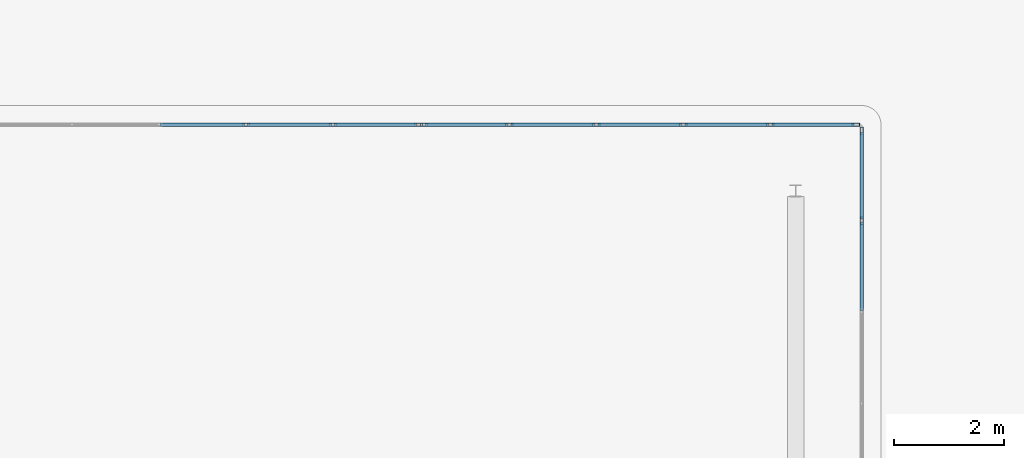
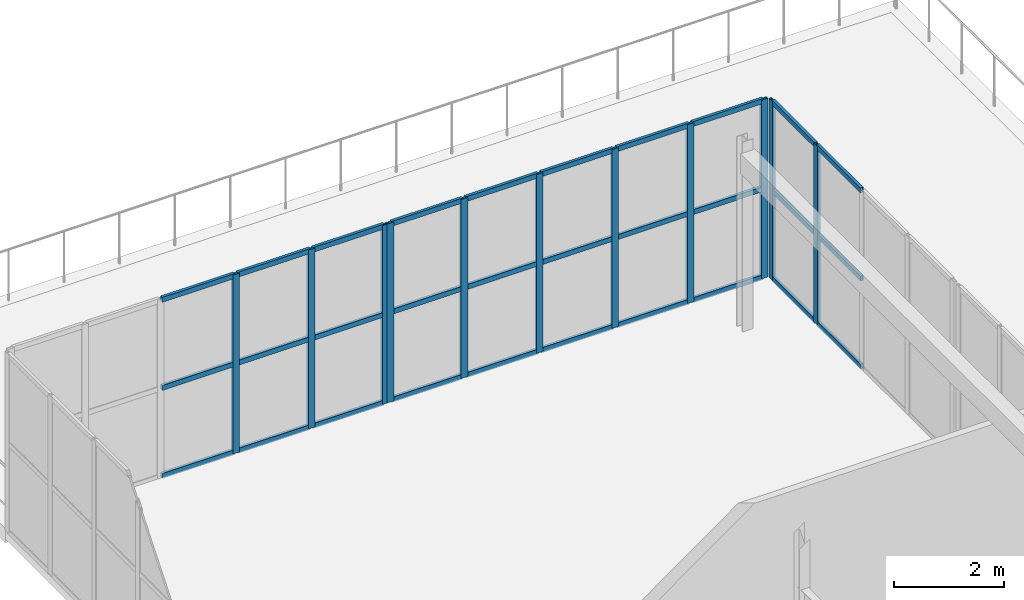
# One storey, part 49 of 90: 41 members, 3 elements without a shape of their own.
"""IFC4 building model written with IfcOpenShell, lengths in metres."""

import ifcopenshell
import ifcopenshell.guid

model = None  # the IFC model being written
_history = None  # IfcOwnerHistory: only IFC2X3 demands one
_inside = {}  # id of a spatial element -> (the spatial element, [elements in it])
_under = {}  # id of a project, library or spatial element -> (it, [spatial elements below it])
_declared = {}  # id of a project -> (the project, [libraries it declares])
_typed = {}  # id of a type object -> (the type object, [elements of that type])
_made_of = {}  # id of a material, layer set ... -> (it, [elements and type objects made of it])


def new_model(schema):
    """Start an empty IFC model of exactly this schema.

    Asked for "IFC4X3", IfcOpenShell would pick the latest addendum, in which some entities
    have other attributes; the version numbers below select the first issue.
    IFC2X3 requires an IfcOwnerHistory on every rooted entity: one is made here for all.
    """
    global model, _history
    if schema == "IFC4X3":
        model = ifcopenshell.file(schema_version=(4, 3, 0, 0))
    else:
        model = ifcopenshell.file(schema=schema)
    _inside.clear()
    _under.clear()
    _declared.clear()
    _typed.clear()
    _made_of.clear()
    _history = None
    if model.schema == "IFC2X3":
        org = make("IfcOrganization", Name="unknown")
        user = make(
            "IfcPersonAndOrganization",
            ThePerson=make("IfcPerson", FamilyName="unknown"),
            TheOrganization=org,
        )
        app = make(
            "IfcApplication",
            ApplicationDeveloper=org,
            Version="unknown",
            ApplicationFullName="unknown",
            ApplicationIdentifier="unknown",
        )
        _history = make(
            "IfcOwnerHistory",
            OwningUser=user,
            OwningApplication=app,
            ChangeAction="ADDED",
            CreationDate=0,
        )
    return model


def make(cls, **values):
    """One entity of the class cls with the attributes given. An attribute that is None is left unset."""
    return model.create_entity(
        cls, **{name: value for name, value in values.items() if value is not None}
    )


def rooted(cls, **values):
    """An entity with a GlobalId (a new one), such as an element, a storey or a relation."""
    return make(cls, GlobalId=ifcopenshell.guid.new(), OwnerHistory=_history, **values)


def si_unit(unit_type, name, prefix=None):
    """IfcSIUnit, for example si_unit("LENGTHUNIT", "METRE", prefix="MILLI")."""
    return make("IfcSIUnit", UnitType=unit_type, Prefix=prefix, Name=name)


def assignment(units):
    """IfcUnitAssignment: the units of a project."""
    return None if units is None else make("IfcUnitAssignment", Units=units)


def point(xyz):
    """IfcCartesianPoint."""
    return None if xyz is None else make("IfcCartesianPoint", Coordinates=xyz)


def direction(xyz):
    """IfcDirection."""
    return None if xyz is None else make("IfcDirection", DirectionRatios=xyz)


def frame(location, z_axis=None, x_axis=None):
    """IfcAxis2Placement3D, a coordinate frame: its origin and axes. An axis left out is left unset."""
    return make(
        "IfcAxis2Placement3D",
        Location=point(location),
        Axis=direction(z_axis),
        RefDirection=direction(x_axis),
    )


def frame_2d(location, x_axis=None):
    """IfcAxis2Placement2D, a coordinate frame in the plane: its origin and x axis."""
    return make(
        "IfcAxis2Placement2D", Location=point(location), RefDirection=direction(x_axis)
    )


def origin():
    """The frame at (0, 0, 0) with its axes left unset."""
    return frame((0.0, 0.0, 0.0))


def origin_2d():
    """The frame at (0, 0) in the plane with its x axis left unset."""
    return frame_2d((0.0, 0.0))


def place(relative_to, where):
    """IfcLocalPlacement: puts the frame where relative to a parent placement (None: the world)."""
    return make(
        "IfcLocalPlacement", PlacementRelTo=relative_to, RelativePlacement=where
    )


def context(
    kind, dimensions, precision=None, world=None, true_north=None, identifier=None
):
    """IfcGeometricRepresentationContext, for example the 3D "Model" context."""
    return make(
        "IfcGeometricRepresentationContext",
        ContextIdentifier=identifier,
        ContextType=kind,
        CoordinateSpaceDimension=dimensions,
        Precision=precision,
        WorldCoordinateSystem=world,
        TrueNorth=true_north,
    )


def subcontext(parent, identifier, kind, view, scale=None):
    """IfcGeometricRepresentationSubContext, for example "Body" below "Model"."""
    return make(
        "IfcGeometricRepresentationSubContext",
        ContextIdentifier=identifier,
        ContextType=kind,
        ParentContext=parent,
        TargetScale=scale,
        TargetView=view,
    )


def project(units=None, contexts=None):
    """IfcProject with its units and contexts."""
    return rooted(
        "IfcProject",
        Name="project",
        RepresentationContexts=contexts,
        UnitsInContext=assignment(units),
    )


def spatial(cls, under=None, at=None, **own):
    """A site, building, storey or space (cls), placed at a placement, below another one or the project."""
    s = rooted(cls, ObjectPlacement=at, **own)
    if under is not None:
        _under.setdefault(under.id(), (under, []))[1].append(s)
    return s


def profile(cls, at=None, kind="AREA", **sizes):
    """A parametric profile (cls). Its sizes go by their IFC names, for example OverallWidth=200.0."""
    return make(cls, ProfileType=kind, Position=at, **sizes)


def hollow_rectangle(**sizes):
    """IfcRectangleHollowProfileDef."""
    return profile("IfcRectangleHollowProfileDef", **sizes)


def extrude(swept, where, along, depth):
    """IfcExtrudedAreaSolid: the profile swept, set in the frame where, extruded along a direction by depth."""
    return make(
        "IfcExtrudedAreaSolid",
        SweptArea=swept,
        Position=where,
        ExtrudedDirection=direction(along),
        Depth=depth,
    )


def shape(context_of_items, identifier, shape_type, items):
    """IfcShapeRepresentation: the items that make up one representation, for example the "Body"."""
    return make(
        "IfcShapeRepresentation",
        ContextOfItems=context_of_items,
        RepresentationIdentifier=identifier,
        RepresentationType=shape_type,
        Items=items,
    )


def material(Name=None, Category=None):
    """IfcMaterial."""
    return make("IfcMaterial", Name=Name, Category=Category)


def layer(
    of_material, thickness, ventilated=None, Name=None, Category=None, Priority=None
):
    """IfcMaterialLayer: one layer of a wall or slab, of a material (None: an air gap)."""
    return make(
        "IfcMaterialLayer",
        Material=of_material,
        LayerThickness=thickness,
        IsVentilated=ventilated,
        Name=Name,
        Category=Category,
        Priority=Priority,
    )


def layer_set(layers, Name=None):
    """IfcMaterialLayerSet."""
    return make("IfcMaterialLayerSet", MaterialLayers=layers, LayerSetName=Name)


def material_profile(
    of_material, cross_section, Name=None, Category=None, Priority=None
):
    """IfcMaterialProfile: a cross section and its material."""
    return make(
        "IfcMaterialProfile",
        Name=Name,
        Material=of_material,
        Profile=cross_section,
        Priority=Priority,
        Category=Category,
    )


def profile_set(profiles, Name=None, composite=None):
    """IfcMaterialProfileSet."""
    return make(
        "IfcMaterialProfileSet",
        Name=Name,
        MaterialProfiles=profiles,
        CompositeProfile=composite,
    )


def made_of(thing, what):
    """Note that an element or type object is made of a material, layer set ...; save() writes the relation."""
    if what is not None:
        _made_of.setdefault(what.id(), (what, []))[1].append(thing)
    return thing


def type_object(cls, material=None, **own):
    """A type object (cls), such as IfcWallType, which elements share."""
    return made_of(rooted(cls, **own), material)


def element(
    cls,
    number,
    at=None,
    inside=None,
    cuts=None,
    type_object=None,
    material=None,
    context=None,
    identifier="Body",
    shape_type=None,
    held_by="IfcProductDefinitionShape",
    body=None,
    shapes=None,
    **own,
):
    """One element of the class cls, such as IfcWall. Its Tag is "e" and its number.

    at: its placement. inside: the storey or other place that contains it. cuts: it is an
    opening in that element (IfcRelVoidsElement). A single representation is given by context,
    identifier, shape_type and body (its items); several are given by shapes. held_by: the class
    of the entity that holds the representations. save() writes the other relations.
    """
    e = rooted(cls, Tag="e%d" % number, ObjectPlacement=at, **own)
    if body is not None:
        shapes = [shape(context, identifier, shape_type, body)]
    if shapes is not None:
        e.Representation = make(held_by, Representations=shapes)
    if inside is not None:
        _inside.setdefault(inside.id(), (inside, []))[1].append(e)
    if cuts is not None:
        rooted(
            "IfcRelVoidsElement", RelatingBuildingElement=cuts, RelatedOpeningElement=e
        )
    if type_object is not None:
        _typed.setdefault(type_object.id(), (type_object, []))[1].append(e)
    return made_of(e, material)


def aggregate(whole, parts):
    """IfcRelAggregates: a whole, such as a stair, and the parts it consists of."""
    return rooted("IfcRelAggregates", RelatingObject=whole, RelatedObjects=parts)


def save(model, path):
    """Write the relations noted so far, then the file.

    IfcRelAggregates (storeys below a building ...), IfcRelContainedInSpatialStructure (elements
    in a storey), IfcRelDefinesByType, IfcRelAssociatesMaterial and IfcRelDeclares: one each for
    every whole, place, type object, material and project.
    """
    for whole, parts in _under.values():
        aggregate(whole, parts)
    for where, things in _inside.values():
        rooted(
            "IfcRelContainedInSpatialStructure",
            RelatedElements=things,
            RelatingStructure=where,
        )
    for kind, things in _typed.values():
        rooted("IfcRelDefinesByType", RelatedObjects=things, RelatingType=kind)
    for what, things in _made_of.values():
        rooted("IfcRelAssociatesMaterial", RelatedObjects=things, RelatingMaterial=what)
    for by, libraries in _declared.values():
        rooted("IfcRelDeclares", RelatingContext=by, RelatedDefinitions=libraries)
    model.write(path)


model = new_model("IFC4")

# Units and contexts
model_context = context("Model", 3, precision=1e-05, world=origin(), true_north=direction((0.0, 1.0)))
body_context = subcontext(model_context, "Body", "Model", "MODEL_VIEW")
ifc_project = project(units=[si_unit("LENGTHUNIT", "METRE"), si_unit("AREAUNIT", "SQUARE_METRE"), si_unit("VOLUMEUNIT", "CUBIC_METRE"), si_unit("PLANEANGLEUNIT", "RADIAN"), si_unit("MASSUNIT", "GRAM", prefix="KILO")], contexts=[model_context])

# Site, building, storey
site_placement = place(None, origin())
site = spatial("IfcSite", under=ifc_project, at=site_placement, CompositionType="ELEMENT")
building_placement = place(site_placement, origin())
building = spatial("IfcBuilding", under=site, at=building_placement, Name="Trelvath General Hospital", CompositionType="ELEMENT")
storey_placement = place(building_placement, frame((0.0, 0.0, 20.39990234375)))
storey = spatial("IfcBuildingStorey", under=building, at=storey_placement, Name="L05", CompositionType="ELEMENT", Elevation=20.39990234375)

# Curtain wall, members
ifc_material_1 = material(Name="Anodised aluminium and low-E glass", Category="aluminium")
ifc_layer_1 = layer(ifc_material_1, 0.14990234375)
ifc_layer_set_1 = layer_set([ifc_layer_1], Name="Anodised aluminium and low-E glass")
curtain_wall_type_1 = type_object("IfcCurtainWallType", Name="CW CrystalCube 790 396 15", PredefinedType="USERDEFINED", material=ifc_layer_set_1)
curtain_wall_1_placement = place(storey_placement, origin())
curtain_wall_1 = element("IfcCurtainWall", 1, at=curtain_wall_1_placement, inside=storey, type_object=curtain_wall_type_1, Name="Crystal Cube Curtain Wall CUBE-E-T2 N1 L05", ObjectType="Unitised Glazed Curtain Wall", PredefinedType="USERDEFINED")
ifc_material_2 = material(Name="Anodised aluminium", Category="aluminium")
ifc_material_profile_1 = material_profile(ifc_material_2, hollow_rectangle(XDim=0.06005859375, YDim=0.139892578125, WallThickness=0.00390625, at=origin_2d()), Name="RHS60x140x4")
ifc_profile_set_1 = profile_set([ifc_material_profile_1], Name="Anodised aluminium")
member_type_1 = type_object("IfcMemberType", Name="CurtainMullion 60x140", PredefinedType="MULLION", material=ifc_profile_set_1)
member_1_placement = place(storey_placement, frame((97.219970703125, 74.0, 0.0), z_axis=(0.0, 0.0, 1.0), x_axis=(0.0, 1.0, 0.0)))
member_1 = element("IfcMember", 2, at=member_1_placement, type_object=member_type_1, Name="CW-317 mullion 4", PredefinedType="MULLION", context=body_context, shape_type="SweptSolid", body=[
    extrude(hollow_rectangle(XDim=0.06005859375, YDim=0.139892578125, WallThickness=0.00390625, at=origin_2d()), origin(), (0.0, 0.0, 1.0), 3.960205078125),
])
member_2_placement = place(storey_placement, frame((98.800048828125, 74.0, 0.0), z_axis=(0.0, 0.0, 1.0), x_axis=(0.0, 1.0, 0.0)))
member_2 = element("IfcMember", 3, at=member_2_placement, type_object=member_type_1, Name="CW-317 mullion 5", PredefinedType="MULLION", context=body_context, shape_type="SweptSolid", body=[
    extrude(hollow_rectangle(XDim=0.06005859375, YDim=0.139892578125, WallThickness=0.00390625, at=origin_2d()), origin(), (0.0, 0.0, 1.0), 3.960205078125),
])
member_3_placement = place(storey_placement, frame((100.35009765625, 74.0, 0.0), z_axis=(0.0, 0.0, 1.0), x_axis=(0.0, 1.0, 0.0)))
member_3 = element("IfcMember", 4, at=member_3_placement, type_object=member_type_1, Name="CW-317 mullion 6", PredefinedType="MULLION", context=body_context, shape_type="SweptSolid", body=[
    extrude(hollow_rectangle(XDim=0.06005859375, YDim=0.139892578125, WallThickness=0.00390625, at=origin_2d()), origin(), (0.0, 0.0, 1.0), 3.960205078125),
])

curtain_wall_2_placement = place(storey_placement, origin())
curtain_wall_2 = element("IfcCurtainWall", 5, at=curtain_wall_2_placement, inside=storey, type_object=curtain_wall_type_1, Name="Crystal Cube Curtain Wall CUBE-E-T2 N2 L05", ObjectType="Unitised Glazed Curtain Wall", PredefinedType="USERDEFINED")
member_4_placement = place(storey_placement, frame((100.449951171875, 74.0, 0.0), z_axis=(0.0, 0.0, 1.0), x_axis=(0.0, 1.0, 0.0)))
member_4 = element("IfcMember", 6, at=member_4_placement, type_object=member_type_1, Name="CW-318 mullion 1", PredefinedType="MULLION", context=body_context, shape_type="SweptSolid", body=[
    extrude(hollow_rectangle(XDim=0.06005859375, YDim=0.139892578125, WallThickness=0.00390625, at=origin_2d()), origin(), (0.0, 0.0, 1.0), 3.960205078125),
])
member_5_placement = place(storey_placement, frame((102.0, 74.0, 0.0), z_axis=(0.0, 0.0, 1.0), x_axis=(0.0, 1.0, 0.0)))
member_5 = element("IfcMember", 7, at=member_5_placement, type_object=member_type_1, Name="CW-318 mullion 2", PredefinedType="MULLION", context=body_context, shape_type="SweptSolid", body=[
    extrude(hollow_rectangle(XDim=0.06005859375, YDim=0.139892578125, WallThickness=0.00390625, at=origin_2d()), origin(), (0.0, 0.0, 1.0), 3.960205078125),
])
member_6_placement = place(storey_placement, frame((103.580078125, 74.0, 0.0), z_axis=(0.0, 0.0, 1.0), x_axis=(0.0, 1.0, 0.0)))
member_6 = element("IfcMember", 8, at=member_6_placement, type_object=member_type_1, Name="CW-318 mullion 3", PredefinedType="MULLION", context=body_context, shape_type="SweptSolid", body=[
    extrude(hollow_rectangle(XDim=0.06005859375, YDim=0.139892578125, WallThickness=0.00390625, at=origin_2d()), origin(), (0.0, 0.0, 1.0), 3.960205078125),
])
member_7_placement = place(storey_placement, frame((105.159912109375, 74.0, 0.0), z_axis=(0.0, 0.0, 1.0), x_axis=(0.0, 1.0, 0.0)))
member_7 = element("IfcMember", 9, at=member_7_placement, type_object=member_type_1, Name="CW-318 mullion 4", PredefinedType="MULLION", context=body_context, shape_type="SweptSolid", body=[
    extrude(hollow_rectangle(XDim=0.06005859375, YDim=0.139892578125, WallThickness=0.00390625, at=origin_2d()), origin(), (0.0, 0.0, 1.0), 3.960205078125),
])
member_8_placement = place(storey_placement, frame((106.739990234375, 74.0, 0.0), z_axis=(0.0, 0.0, 1.0), x_axis=(0.0, 1.0, 0.0)))
member_8 = element("IfcMember", 10, at=member_8_placement, type_object=member_type_1, Name="CW-318 mullion 5", PredefinedType="MULLION", context=body_context, shape_type="SweptSolid", body=[
    extrude(hollow_rectangle(XDim=0.06005859375, YDim=0.139892578125, WallThickness=0.00390625, at=origin_2d()), origin(), (0.0, 0.0, 1.0), 3.960205078125),
])
member_9_placement = place(storey_placement, frame((108.2900390625, 74.0, 0.0), z_axis=(0.0, 0.0, 1.0), x_axis=(0.0, 1.0, 0.0)))
member_9 = element("IfcMember", 11, at=member_9_placement, type_object=member_type_1, Name="CW-318 mullion 6", PredefinedType="MULLION", context=body_context, shape_type="SweptSolid", body=[
    extrude(hollow_rectangle(XDim=0.06005859375, YDim=0.139892578125, WallThickness=0.00390625, at=origin_2d()), origin(), (0.0, 0.0, 1.0), 3.960205078125),
])

ifc_material_3 = material(Name="Anodised aluminium and low-E glass", Category="aluminium")
ifc_layer_2 = layer(ifc_material_3, 0.14990234375)
ifc_layer_set_2 = layer_set([ifc_layer_2], Name="Anodised aluminium and low-E glass")
curtain_wall_type_2 = type_object("IfcCurtainWallType", Name="CW CrystalCube 664 396 15", PredefinedType="USERDEFINED", material=ifc_layer_set_2)
curtain_wall_3_placement = place(storey_placement, origin())
curtain_wall_3 = element("IfcCurtainWall", 12, at=curtain_wall_3_placement, inside=storey, type_object=curtain_wall_type_2, Name="Crystal Cube Curtain Wall CUBE-E-T2 E5 L05", ObjectType="Unitised Glazed Curtain Wall", PredefinedType="USERDEFINED")
member_10_placement = place(storey_placement, frame((108.39990234375, 73.889892578125, 0.0), z_axis=(0.0, 0.0, 1.0), x_axis=(1.0, 0.0, 0.0)))
member_10 = element("IfcMember", 13, at=member_10_placement, type_object=member_type_1, Name="CW-322 mullion 1", PredefinedType="MULLION", context=body_context, shape_type="SweptSolid", body=[
    extrude(hollow_rectangle(XDim=0.06005859375, YDim=0.139892578125, WallThickness=0.00390625, at=origin_2d()), origin(), (0.0, 0.0, 1.0), 3.960205078125),
])
member_11_placement = place(storey_placement, frame((108.39990234375, 72.260009765625, 0.0), z_axis=(0.0, 0.0, 1.0), x_axis=(1.0, 0.0, 0.0)))
member_11 = element("IfcMember", 14, at=member_11_placement, type_object=member_type_1, Name="CW-322 mullion 2", PredefinedType="MULLION", context=body_context, shape_type="SweptSolid", body=[
    extrude(hollow_rectangle(XDim=0.06005859375, YDim=0.139892578125, WallThickness=0.00390625, at=origin_2d()), origin(), (0.0, 0.0, 1.0), 3.960205078125),
])

# Member
ifc_material_4 = material(Name="Anodised aluminium", Category="aluminium")
ifc_material_profile_2 = material_profile(ifc_material_4, hollow_rectangle(XDim=0.06005859375, YDim=0.110107421875, WallThickness=0.00390625, at=origin_2d()), Name="RHS60x110x4")
ifc_profile_set_2 = profile_set([ifc_material_profile_2], Name="Anodised aluminium")
member_type_2 = type_object("IfcMemberType", Name="CurtainTransom 60x110", PredefinedType="USERDEFINED", material=ifc_profile_set_2)
member_12_placement = place(storey_placement, frame((95.669921875, 74.0, 0.030029296875), z_axis=(1.0, 0.0, 0.0), x_axis=(0.0, 1.0, 0.0)))
member_12 = element("IfcMember", 15, at=member_12_placement, type_object=member_type_2, Name="CW-317 transom 3.1", ObjectType="TRANSOM", PredefinedType="USERDEFINED", context=body_context, shape_type="SweptSolid", body=[
    extrude(hollow_rectangle(XDim=0.06005859375, YDim=0.110107421875, WallThickness=0.00390625, at=origin_2d()), origin(), (0.0, 0.0, 1.0), 1.52001953125),
])

member_13_placement = place(storey_placement, frame((95.669921875, 74.0, 1.97998046875), z_axis=(1.0, 0.0, 0.0), x_axis=(0.0, 1.0, 0.0)))
member_13 = element("IfcMember", 16, at=member_13_placement, type_object=member_type_2, Name="CW-317 transom 3.2", ObjectType="TRANSOM", PredefinedType="USERDEFINED", context=body_context, shape_type="SweptSolid", body=[
    extrude(hollow_rectangle(XDim=0.06005859375, YDim=0.110107421875, WallThickness=0.00390625, at=origin_2d()), origin(), (0.0, 0.0, 1.0), 1.52001953125),
])

member_14_placement = place(storey_placement, frame((95.669921875, 74.0, 3.93017578125), z_axis=(1.0, 0.0, 0.0), x_axis=(0.0, 1.0, 0.0)))
member_14 = element("IfcMember", 17, at=member_14_placement, type_object=member_type_2, Name="CW-317 transom 3.3", ObjectType="TRANSOM", PredefinedType="USERDEFINED", context=body_context, shape_type="SweptSolid", body=[
    extrude(hollow_rectangle(XDim=0.06005859375, YDim=0.110107421875, WallThickness=0.00390625, at=origin_2d()), origin(), (0.0, 0.0, 1.0), 1.52001953125),
])

member_15_placement = place(storey_placement, frame((97.25, 74.0, 0.030029296875), z_axis=(1.0, 0.0, 0.0), x_axis=(0.0, 1.0, 0.0)))
member_15 = element("IfcMember", 18, at=member_15_placement, type_object=member_type_2, Name="CW-317 transom 4.1", ObjectType="TRANSOM", PredefinedType="USERDEFINED", context=body_context, shape_type="SweptSolid", body=[
    extrude(hollow_rectangle(XDim=0.06005859375, YDim=0.110107421875, WallThickness=0.00390625, at=origin_2d()), origin(), (0.0, 0.0, 1.0), 1.52001953125),
])

member_16_placement = place(storey_placement, frame((97.25, 74.0, 1.97998046875), z_axis=(1.0, 0.0, 0.0), x_axis=(0.0, 1.0, 0.0)))
member_16 = element("IfcMember", 19, at=member_16_placement, type_object=member_type_2, Name="CW-317 transom 4.2", ObjectType="TRANSOM", PredefinedType="USERDEFINED", context=body_context, shape_type="SweptSolid", body=[
    extrude(hollow_rectangle(XDim=0.06005859375, YDim=0.110107421875, WallThickness=0.00390625, at=origin_2d()), origin(), (0.0, 0.0, 1.0), 1.52001953125),
])

member_17_placement = place(storey_placement, frame((97.25, 74.0, 3.93017578125), z_axis=(1.0, 0.0, 0.0), x_axis=(0.0, 1.0, 0.0)))
member_17 = element("IfcMember", 20, at=member_17_placement, type_object=member_type_2, Name="CW-317 transom 4.3", ObjectType="TRANSOM", PredefinedType="USERDEFINED", context=body_context, shape_type="SweptSolid", body=[
    extrude(hollow_rectangle(XDim=0.06005859375, YDim=0.110107421875, WallThickness=0.00390625, at=origin_2d()), origin(), (0.0, 0.0, 1.0), 1.52001953125),
])

member_18_placement = place(storey_placement, frame((98.830078125, 74.0, 0.030029296875), z_axis=(1.0, 0.0, 0.0), x_axis=(0.0, 1.0, 0.0)))
member_18 = element("IfcMember", 21, at=member_18_placement, type_object=member_type_2, Name="CW-317 transom 5.1", ObjectType="TRANSOM", PredefinedType="USERDEFINED", context=body_context, shape_type="SweptSolid", body=[
    extrude(hollow_rectangle(XDim=0.06005859375, YDim=0.110107421875, WallThickness=0.00390625, at=origin_2d()), origin(), (0.0, 0.0, 1.0), 1.489990234375),
])

member_19_placement = place(storey_placement, frame((98.830078125, 74.0, 1.97998046875), z_axis=(1.0, 0.0, 0.0), x_axis=(0.0, 1.0, 0.0)))
member_19 = element("IfcMember", 22, at=member_19_placement, type_object=member_type_2, Name="CW-317 transom 5.2", ObjectType="TRANSOM", PredefinedType="USERDEFINED", context=body_context, shape_type="SweptSolid", body=[
    extrude(hollow_rectangle(XDim=0.06005859375, YDim=0.110107421875, WallThickness=0.00390625, at=origin_2d()), origin(), (0.0, 0.0, 1.0), 1.489990234375),
])

member_20_placement = place(storey_placement, frame((98.830078125, 74.0, 3.93017578125), z_axis=(1.0, 0.0, 0.0), x_axis=(0.0, 1.0, 0.0)))
member_20 = element("IfcMember", 23, at=member_20_placement, type_object=member_type_2, Name="CW-317 transom 5.3", ObjectType="TRANSOM", PredefinedType="USERDEFINED", context=body_context, shape_type="SweptSolid", body=[
    extrude(hollow_rectangle(XDim=0.06005859375, YDim=0.110107421875, WallThickness=0.00390625, at=origin_2d()), origin(), (0.0, 0.0, 1.0), 1.489990234375),
])

aggregate(curtain_wall_1, [member_1, member_2, member_3, member_12, member_13, member_14, member_15, member_16, member_17, member_18, member_19, member_20])

member_21_placement = place(storey_placement, frame((100.47998046875, 74.0, 0.030029296875), z_axis=(1.0, 0.0, 0.0), x_axis=(0.0, 1.0, 0.0)))
member_21 = element("IfcMember", 24, at=member_21_placement, type_object=member_type_2, Name="CW-318 transom 1.1", ObjectType="TRANSOM", PredefinedType="USERDEFINED", context=body_context, shape_type="SweptSolid", body=[
    extrude(hollow_rectangle(XDim=0.06005859375, YDim=0.110107421875, WallThickness=0.00390625, at=origin_2d()), origin(), (0.0, 0.0, 1.0), 1.489990234375),
])

member_22_placement = place(storey_placement, frame((100.47998046875, 74.0, 1.97998046875), z_axis=(1.0, 0.0, 0.0), x_axis=(0.0, 1.0, 0.0)))
member_22 = element("IfcMember", 25, at=member_22_placement, type_object=member_type_2, Name="CW-318 transom 1.2", ObjectType="TRANSOM", PredefinedType="USERDEFINED", context=body_context, shape_type="SweptSolid", body=[
    extrude(hollow_rectangle(XDim=0.06005859375, YDim=0.110107421875, WallThickness=0.00390625, at=origin_2d()), origin(), (0.0, 0.0, 1.0), 1.489990234375),
])

member_23_placement = place(storey_placement, frame((100.47998046875, 74.0, 3.93017578125), z_axis=(1.0, 0.0, 0.0), x_axis=(0.0, 1.0, 0.0)))
member_23 = element("IfcMember", 26, at=member_23_placement, type_object=member_type_2, Name="CW-318 transom 1.3", ObjectType="TRANSOM", PredefinedType="USERDEFINED", context=body_context, shape_type="SweptSolid", body=[
    extrude(hollow_rectangle(XDim=0.06005859375, YDim=0.110107421875, WallThickness=0.00390625, at=origin_2d()), origin(), (0.0, 0.0, 1.0), 1.489990234375),
])

member_24_placement = place(storey_placement, frame((102.030029296875, 74.0, 0.030029296875), z_axis=(1.0, 0.0, 0.0), x_axis=(0.0, 1.0, 0.0)))
member_24 = element("IfcMember", 27, at=member_24_placement, type_object=member_type_2, Name="CW-318 transom 2.1", ObjectType="TRANSOM", PredefinedType="USERDEFINED", context=body_context, shape_type="SweptSolid", body=[
    extrude(hollow_rectangle(XDim=0.06005859375, YDim=0.110107421875, WallThickness=0.00390625, at=origin_2d()), origin(), (0.0, 0.0, 1.0), 1.52001953125),
])

member_25_placement = place(storey_placement, frame((102.030029296875, 74.0, 1.97998046875), z_axis=(1.0, 0.0, 0.0), x_axis=(0.0, 1.0, 0.0)))
member_25 = element("IfcMember", 28, at=member_25_placement, type_object=member_type_2, Name="CW-318 transom 2.2", ObjectType="TRANSOM", PredefinedType="USERDEFINED", context=body_context, shape_type="SweptSolid", body=[
    extrude(hollow_rectangle(XDim=0.06005859375, YDim=0.110107421875, WallThickness=0.00390625, at=origin_2d()), origin(), (0.0, 0.0, 1.0), 1.52001953125),
])

member_26_placement = place(storey_placement, frame((102.030029296875, 74.0, 3.93017578125), z_axis=(1.0, 0.0, 0.0), x_axis=(0.0, 1.0, 0.0)))
member_26 = element("IfcMember", 29, at=member_26_placement, type_object=member_type_2, Name="CW-318 transom 2.3", ObjectType="TRANSOM", PredefinedType="USERDEFINED", context=body_context, shape_type="SweptSolid", body=[
    extrude(hollow_rectangle(XDim=0.06005859375, YDim=0.110107421875, WallThickness=0.00390625, at=origin_2d()), origin(), (0.0, 0.0, 1.0), 1.52001953125),
])

member_27_placement = place(storey_placement, frame((103.610107421875, 74.0, 0.030029296875), z_axis=(1.0, 0.0, 0.0), x_axis=(0.0, 1.0, 0.0)))
member_27 = element("IfcMember", 30, at=member_27_placement, type_object=member_type_2, Name="CW-318 transom 3.1", ObjectType="TRANSOM", PredefinedType="USERDEFINED", context=body_context, shape_type="SweptSolid", body=[
    extrude(hollow_rectangle(XDim=0.06005859375, YDim=0.110107421875, WallThickness=0.00390625, at=origin_2d()), origin(), (0.0, 0.0, 1.0), 1.519775390625),
])

member_28_placement = place(storey_placement, frame((103.610107421875, 74.0, 1.97998046875), z_axis=(1.0, 0.0, 0.0), x_axis=(0.0, 1.0, 0.0)))
member_28 = element("IfcMember", 31, at=member_28_placement, type_object=member_type_2, Name="CW-318 transom 3.2", ObjectType="TRANSOM", PredefinedType="USERDEFINED", context=body_context, shape_type="SweptSolid", body=[
    extrude(hollow_rectangle(XDim=0.06005859375, YDim=0.110107421875, WallThickness=0.00390625, at=origin_2d()), origin(), (0.0, 0.0, 1.0), 1.519775390625),
])

member_29_placement = place(storey_placement, frame((103.610107421875, 74.0, 3.93017578125), z_axis=(1.0, 0.0, 0.0), x_axis=(0.0, 1.0, 0.0)))
member_29 = element("IfcMember", 32, at=member_29_placement, type_object=member_type_2, Name="CW-318 transom 3.3", ObjectType="TRANSOM", PredefinedType="USERDEFINED", context=body_context, shape_type="SweptSolid", body=[
    extrude(hollow_rectangle(XDim=0.06005859375, YDim=0.110107421875, WallThickness=0.00390625, at=origin_2d()), origin(), (0.0, 0.0, 1.0), 1.519775390625),
])

member_30_placement = place(storey_placement, frame((105.18994140625, 74.0, 0.030029296875), z_axis=(1.0, 0.0, 0.0), x_axis=(0.0, 1.0, 0.0)))
member_30 = element("IfcMember", 33, at=member_30_placement, type_object=member_type_2, Name="CW-318 transom 4.1", ObjectType="TRANSOM", PredefinedType="USERDEFINED", context=body_context, shape_type="SweptSolid", body=[
    extrude(hollow_rectangle(XDim=0.06005859375, YDim=0.110107421875, WallThickness=0.00390625, at=origin_2d()), origin(), (0.0, 0.0, 1.0), 1.52001953125),
])

member_31_placement = place(storey_placement, frame((105.18994140625, 74.0, 1.97998046875), z_axis=(1.0, 0.0, 0.0), x_axis=(0.0, 1.0, 0.0)))
member_31 = element("IfcMember", 34, at=member_31_placement, type_object=member_type_2, Name="CW-318 transom 4.2", ObjectType="TRANSOM", PredefinedType="USERDEFINED", context=body_context, shape_type="SweptSolid", body=[
    extrude(hollow_rectangle(XDim=0.06005859375, YDim=0.110107421875, WallThickness=0.00390625, at=origin_2d()), origin(), (0.0, 0.0, 1.0), 1.52001953125),
])

member_32_placement = place(storey_placement, frame((105.18994140625, 74.0, 3.93017578125), z_axis=(1.0, 0.0, 0.0), x_axis=(0.0, 1.0, 0.0)))
member_32 = element("IfcMember", 35, at=member_32_placement, type_object=member_type_2, Name="CW-318 transom 4.3", ObjectType="TRANSOM", PredefinedType="USERDEFINED", context=body_context, shape_type="SweptSolid", body=[
    extrude(hollow_rectangle(XDim=0.06005859375, YDim=0.110107421875, WallThickness=0.00390625, at=origin_2d()), origin(), (0.0, 0.0, 1.0), 1.52001953125),
])

member_33_placement = place(storey_placement, frame((106.77001953125, 74.0, 0.030029296875), z_axis=(1.0, 0.0, 0.0), x_axis=(0.0, 1.0, 0.0)))
member_33 = element("IfcMember", 36, at=member_33_placement, type_object=member_type_2, Name="CW-318 transom 5.1", ObjectType="TRANSOM", PredefinedType="USERDEFINED", context=body_context, shape_type="SweptSolid", body=[
    extrude(hollow_rectangle(XDim=0.06005859375, YDim=0.110107421875, WallThickness=0.00390625, at=origin_2d()), origin(), (0.0, 0.0, 1.0), 1.489990234375),
])

member_34_placement = place(storey_placement, frame((106.77001953125, 74.0, 1.97998046875), z_axis=(1.0, 0.0, 0.0), x_axis=(0.0, 1.0, 0.0)))
member_34 = element("IfcMember", 37, at=member_34_placement, type_object=member_type_2, Name="CW-318 transom 5.2", ObjectType="TRANSOM", PredefinedType="USERDEFINED", context=body_context, shape_type="SweptSolid", body=[
    extrude(hollow_rectangle(XDim=0.06005859375, YDim=0.110107421875, WallThickness=0.00390625, at=origin_2d()), origin(), (0.0, 0.0, 1.0), 1.489990234375),
])

member_35_placement = place(storey_placement, frame((106.77001953125, 74.0, 3.93017578125), z_axis=(1.0, 0.0, 0.0), x_axis=(0.0, 1.0, 0.0)))
member_35 = element("IfcMember", 38, at=member_35_placement, type_object=member_type_2, Name="CW-318 transom 5.3", ObjectType="TRANSOM", PredefinedType="USERDEFINED", context=body_context, shape_type="SweptSolid", body=[
    extrude(hollow_rectangle(XDim=0.06005859375, YDim=0.110107421875, WallThickness=0.00390625, at=origin_2d()), origin(), (0.0, 0.0, 1.0), 1.489990234375),
])

aggregate(curtain_wall_2, [member_4, member_5, member_6, member_7, member_8, member_9, member_21, member_22, member_23, member_24, member_25, member_26, member_27, member_28, member_29, member_30, member_31, member_32, member_33, member_34, member_35])

member_36_placement = place(storey_placement, frame((108.39990234375, 73.860107421875, 0.030029296875), z_axis=(0.0, -1.0, 0.0), x_axis=(1.0, 0.0, 0.0)))
member_36 = element("IfcMember", 39, at=member_36_placement, type_object=member_type_2, Name="CW-322 transom 1.1", ObjectType="TRANSOM", PredefinedType="USERDEFINED", context=body_context, shape_type="SweptSolid", body=[
    extrude(hollow_rectangle(XDim=0.06005859375, YDim=0.110107421875, WallThickness=0.00390625, at=origin_2d()), origin(), (0.0, 0.0, 1.0), 1.570068359375),
])

member_37_placement = place(storey_placement, frame((108.39990234375, 73.860107421875, 1.97998046875), z_axis=(0.0, -1.0, 0.0), x_axis=(1.0, 0.0, 0.0)))
member_37 = element("IfcMember", 40, at=member_37_placement, type_object=member_type_2, Name="CW-322 transom 1.2", ObjectType="TRANSOM", PredefinedType="USERDEFINED", context=body_context, shape_type="SweptSolid", body=[
    extrude(hollow_rectangle(XDim=0.06005859375, YDim=0.110107421875, WallThickness=0.00390625, at=origin_2d()), origin(), (0.0, 0.0, 1.0), 1.570068359375),
])

member_38_placement = place(storey_placement, frame((108.39990234375, 73.860107421875, 3.93017578125), z_axis=(0.0, -1.0, 0.0), x_axis=(1.0, 0.0, 0.0)))
member_38 = element("IfcMember", 41, at=member_38_placement, type_object=member_type_2, Name="CW-322 transom 1.3", ObjectType="TRANSOM", PredefinedType="USERDEFINED", context=body_context, shape_type="SweptSolid", body=[
    extrude(hollow_rectangle(XDim=0.06005859375, YDim=0.110107421875, WallThickness=0.00390625, at=origin_2d()), origin(), (0.0, 0.0, 1.0), 1.570068359375),
])

member_39_placement = place(storey_placement, frame((108.39990234375, 72.22998046875, 0.030029296875), z_axis=(0.0, -1.0, 0.0), x_axis=(1.0, 0.0, 0.0)))
member_39 = element("IfcMember", 42, at=member_39_placement, type_object=member_type_2, Name="CW-322 transom 2.1", ObjectType="TRANSOM", PredefinedType="USERDEFINED", context=body_context, shape_type="SweptSolid", body=[
    extrude(hollow_rectangle(XDim=0.06005859375, YDim=0.110107421875, WallThickness=0.00390625, at=origin_2d()), origin(), (0.0, 0.0, 1.0), 1.60009765625),
])

member_40_placement = place(storey_placement, frame((108.39990234375, 72.22998046875, 1.97998046875), z_axis=(0.0, -1.0, 0.0), x_axis=(1.0, 0.0, 0.0)))
member_40 = element("IfcMember", 43, at=member_40_placement, type_object=member_type_2, Name="CW-322 transom 2.2", ObjectType="TRANSOM", PredefinedType="USERDEFINED", context=body_context, shape_type="SweptSolid", body=[
    extrude(hollow_rectangle(XDim=0.06005859375, YDim=0.110107421875, WallThickness=0.00390625, at=origin_2d()), origin(), (0.0, 0.0, 1.0), 1.60009765625),
])

member_41_placement = place(storey_placement, frame((108.39990234375, 72.22998046875, 3.93017578125), z_axis=(0.0, -1.0, 0.0), x_axis=(1.0, 0.0, 0.0)))
member_41 = element("IfcMember", 44, at=member_41_placement, type_object=member_type_2, Name="CW-322 transom 2.3", ObjectType="TRANSOM", PredefinedType="USERDEFINED", context=body_context, shape_type="SweptSolid", body=[
    extrude(hollow_rectangle(XDim=0.06005859375, YDim=0.110107421875, WallThickness=0.00390625, at=origin_2d()), origin(), (0.0, 0.0, 1.0), 1.60009765625),
])

aggregate(curtain_wall_3, [member_10, member_11, member_36, member_37, member_38, member_39, member_40, member_41])

save(model, "model.ifc")
